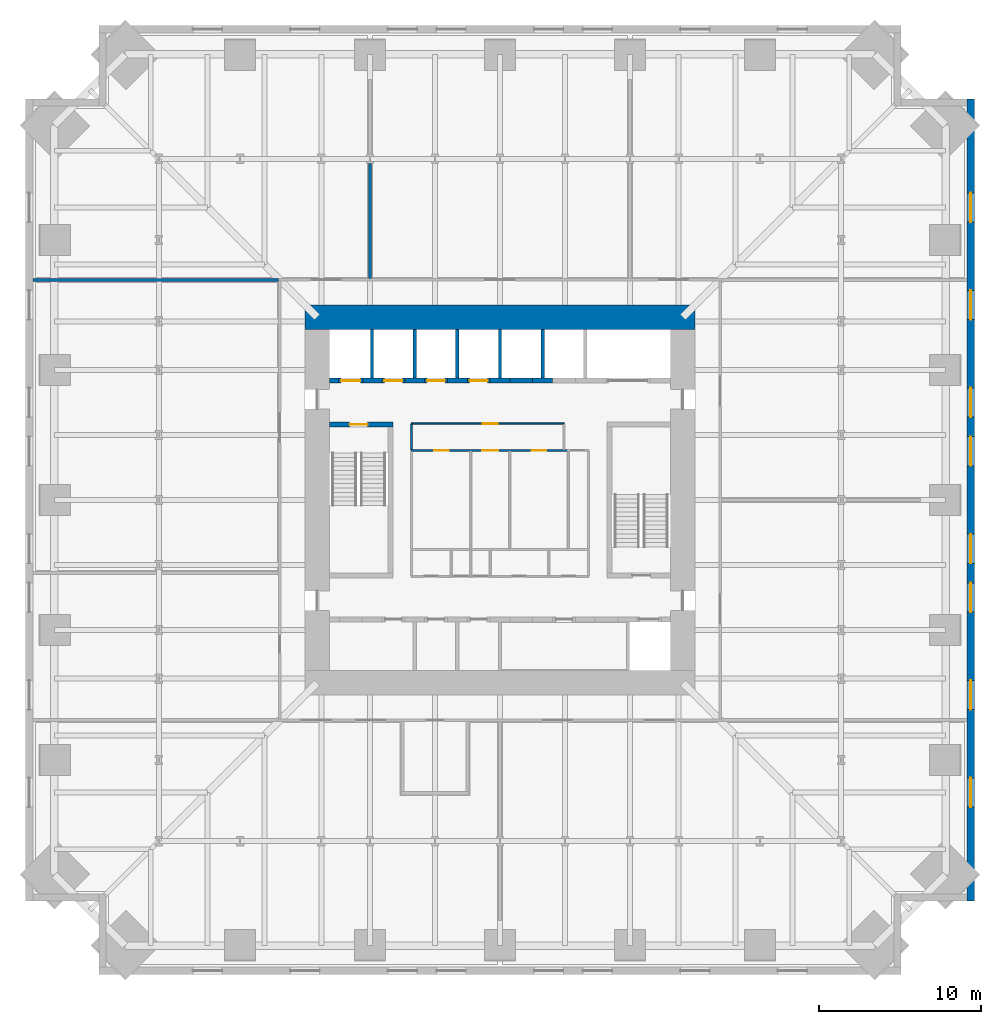
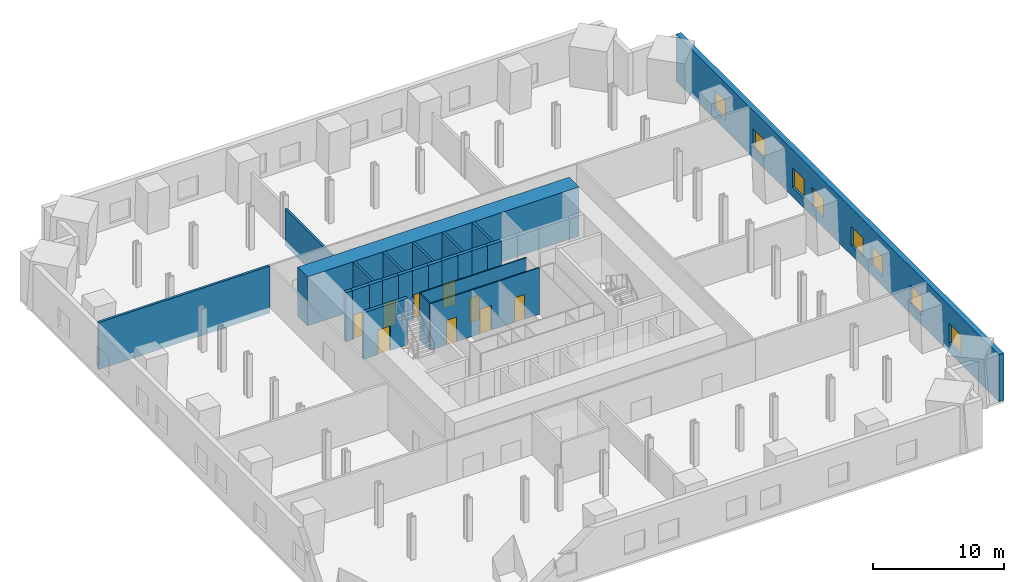
# One storey, part 6 of 8: 24 walls, 9 doors, 8 windows, 17 openings.
"""IFC4 building model written with IfcOpenShell, lengths in metres."""

import ifcopenshell
import ifcopenshell.guid

model = None  # the IFC model being written
_history = None  # IfcOwnerHistory: only IFC2X3 demands one
_inside = {}  # id of a spatial element -> (the spatial element, [elements in it])
_under = {}  # id of a project, library or spatial element -> (it, [spatial elements below it])
_declared = {}  # id of a project -> (the project, [libraries it declares])
_typed = {}  # id of a type object -> (the type object, [elements of that type])
_made_of = {}  # id of a material, layer set ... -> (it, [elements and type objects made of it])


def new_model(schema):
    """Start an empty IFC model of exactly this schema.

    Asked for "IFC4X3", IfcOpenShell would pick the latest addendum, in which some entities
    have other attributes; the version numbers below select the first issue.
    IFC2X3 requires an IfcOwnerHistory on every rooted entity: one is made here for all.
    """
    global model, _history
    if schema == "IFC4X3":
        model = ifcopenshell.file(schema_version=(4, 3, 0, 0))
    else:
        model = ifcopenshell.file(schema=schema)
    _inside.clear()
    _under.clear()
    _declared.clear()
    _typed.clear()
    _made_of.clear()
    _history = None
    if model.schema == "IFC2X3":
        org = make("IfcOrganization", Name="unknown")
        user = make(
            "IfcPersonAndOrganization",
            ThePerson=make("IfcPerson", FamilyName="unknown"),
            TheOrganization=org,
        )
        app = make(
            "IfcApplication",
            ApplicationDeveloper=org,
            Version="unknown",
            ApplicationFullName="unknown",
            ApplicationIdentifier="unknown",
        )
        _history = make(
            "IfcOwnerHistory",
            OwningUser=user,
            OwningApplication=app,
            ChangeAction="ADDED",
            CreationDate=0,
        )
    return model


def make(cls, **values):
    """One entity of the class cls with the attributes given. An attribute that is None is left unset."""
    return model.create_entity(
        cls, **{name: value for name, value in values.items() if value is not None}
    )


def rooted(cls, **values):
    """An entity with a GlobalId (a new one), such as an element, a storey or a relation."""
    return make(cls, GlobalId=ifcopenshell.guid.new(), OwnerHistory=_history, **values)


def si_unit(unit_type, name, prefix=None):
    """IfcSIUnit, for example si_unit("LENGTHUNIT", "METRE", prefix="MILLI")."""
    return make("IfcSIUnit", UnitType=unit_type, Prefix=prefix, Name=name)


def assignment(units):
    """IfcUnitAssignment: the units of a project."""
    return None if units is None else make("IfcUnitAssignment", Units=units)


def point(xyz):
    """IfcCartesianPoint."""
    return None if xyz is None else make("IfcCartesianPoint", Coordinates=xyz)


def direction(xyz):
    """IfcDirection."""
    return None if xyz is None else make("IfcDirection", DirectionRatios=xyz)


def frame(location, z_axis=None, x_axis=None):
    """IfcAxis2Placement3D, a coordinate frame: its origin and axes. An axis left out is left unset."""
    return make(
        "IfcAxis2Placement3D",
        Location=point(location),
        Axis=direction(z_axis),
        RefDirection=direction(x_axis),
    )


def frame_2d(location, x_axis=None):
    """IfcAxis2Placement2D, a coordinate frame in the plane: its origin and x axis."""
    return make(
        "IfcAxis2Placement2D", Location=point(location), RefDirection=direction(x_axis)
    )


def origin():
    """The frame at (0, 0, 0) with its axes left unset."""
    return frame((0.0, 0.0, 0.0))


def place(relative_to, where):
    """IfcLocalPlacement: puts the frame where relative to a parent placement (None: the world)."""
    return make(
        "IfcLocalPlacement", PlacementRelTo=relative_to, RelativePlacement=where
    )


def context(
    kind, dimensions, precision=None, world=None, true_north=None, identifier=None
):
    """IfcGeometricRepresentationContext, for example the 3D "Model" context."""
    return make(
        "IfcGeometricRepresentationContext",
        ContextIdentifier=identifier,
        ContextType=kind,
        CoordinateSpaceDimension=dimensions,
        Precision=precision,
        WorldCoordinateSystem=world,
        TrueNorth=true_north,
    )


def subcontext(parent, identifier, kind, view, scale=None):
    """IfcGeometricRepresentationSubContext, for example "Body" below "Model"."""
    return make(
        "IfcGeometricRepresentationSubContext",
        ContextIdentifier=identifier,
        ContextType=kind,
        ParentContext=parent,
        TargetScale=scale,
        TargetView=view,
    )


def project(units=None, contexts=None):
    """IfcProject with its units and contexts."""
    return rooted(
        "IfcProject",
        Name="project",
        RepresentationContexts=contexts,
        UnitsInContext=assignment(units),
    )


def spatial(cls, under=None, at=None, **own):
    """A site, building, storey or space (cls), placed at a placement, below another one or the project."""
    s = rooted(cls, ObjectPlacement=at, **own)
    if under is not None:
        _under.setdefault(under.id(), (under, []))[1].append(s)
    return s


def profile(cls, at=None, kind="AREA", **sizes):
    """A parametric profile (cls). Its sizes go by their IFC names, for example OverallWidth=200.0."""
    return make(cls, ProfileType=kind, Position=at, **sizes)


def rectangle(**sizes):
    """IfcRectangleProfileDef."""
    return profile("IfcRectangleProfileDef", **sizes)


def extrude(swept, where, along, depth):
    """IfcExtrudedAreaSolid: the profile swept, set in the frame where, extruded along a direction by depth."""
    return make(
        "IfcExtrudedAreaSolid",
        SweptArea=swept,
        Position=where,
        ExtrudedDirection=direction(along),
        Depth=depth,
    )


def shape(context_of_items, identifier, shape_type, items):
    """IfcShapeRepresentation: the items that make up one representation, for example the "Body"."""
    return make(
        "IfcShapeRepresentation",
        ContextOfItems=context_of_items,
        RepresentationIdentifier=identifier,
        RepresentationType=shape_type,
        Items=items,
    )


def material(Name=None, Category=None):
    """IfcMaterial."""
    return make("IfcMaterial", Name=Name, Category=Category)


def layer(
    of_material, thickness, ventilated=None, Name=None, Category=None, Priority=None
):
    """IfcMaterialLayer: one layer of a wall or slab, of a material (None: an air gap)."""
    return make(
        "IfcMaterialLayer",
        Material=of_material,
        LayerThickness=thickness,
        IsVentilated=ventilated,
        Name=Name,
        Category=Category,
        Priority=Priority,
    )


def layer_set(layers, Name=None):
    """IfcMaterialLayerSet."""
    return make("IfcMaterialLayerSet", MaterialLayers=layers, LayerSetName=Name)


def made_of(thing, what):
    """Note that an element or type object is made of a material, layer set ...; save() writes the relation."""
    if what is not None:
        _made_of.setdefault(what.id(), (what, []))[1].append(thing)
    return thing


def type_object(cls, material=None, **own):
    """A type object (cls), such as IfcWallType, which elements share."""
    return made_of(rooted(cls, **own), material)


def element(
    cls,
    number,
    at=None,
    inside=None,
    cuts=None,
    type_object=None,
    material=None,
    context=None,
    identifier="Body",
    shape_type=None,
    held_by="IfcProductDefinitionShape",
    body=None,
    shapes=None,
    **own,
):
    """One element of the class cls, such as IfcWall. Its Tag is "e" and its number.

    at: its placement. inside: the storey or other place that contains it. cuts: it is an
    opening in that element (IfcRelVoidsElement). A single representation is given by context,
    identifier, shape_type and body (its items); several are given by shapes. held_by: the class
    of the entity that holds the representations. save() writes the other relations.
    """
    e = rooted(cls, Tag="e%d" % number, ObjectPlacement=at, **own)
    if body is not None:
        shapes = [shape(context, identifier, shape_type, body)]
    if shapes is not None:
        e.Representation = make(held_by, Representations=shapes)
    if inside is not None:
        _inside.setdefault(inside.id(), (inside, []))[1].append(e)
    if cuts is not None:
        rooted(
            "IfcRelVoidsElement", RelatingBuildingElement=cuts, RelatedOpeningElement=e
        )
    if type_object is not None:
        _typed.setdefault(type_object.id(), (type_object, []))[1].append(e)
    return made_of(e, material)


def fill(opening, filler):
    """IfcRelFillsElement: the door or window that sits in an opening."""
    return rooted(
        "IfcRelFillsElement",
        RelatingOpeningElement=opening,
        RelatedBuildingElement=filler,
    )


def aggregate(whole, parts):
    """IfcRelAggregates: a whole, such as a stair, and the parts it consists of."""
    return rooted("IfcRelAggregates", RelatingObject=whole, RelatedObjects=parts)


def save(model, path):
    """Write the relations noted so far, then the file.

    IfcRelAggregates (storeys below a building ...), IfcRelContainedInSpatialStructure (elements
    in a storey), IfcRelDefinesByType, IfcRelAssociatesMaterial and IfcRelDeclares: one each for
    every whole, place, type object, material and project.
    """
    for whole, parts in _under.values():
        aggregate(whole, parts)
    for where, things in _inside.values():
        rooted(
            "IfcRelContainedInSpatialStructure",
            RelatedElements=things,
            RelatingStructure=where,
        )
    for kind, things in _typed.values():
        rooted("IfcRelDefinesByType", RelatedObjects=things, RelatingType=kind)
    for what, things in _made_of.values():
        rooted("IfcRelAssociatesMaterial", RelatedObjects=things, RelatingMaterial=what)
    for by, libraries in _declared.values():
        rooted("IfcRelDeclares", RelatingContext=by, RelatedDefinitions=libraries)
    model.write(path)


model = new_model("IFC4")

# Units and contexts
model_context = context("Model", 3, precision=1e-05, world=origin(), true_north=direction((0.0, 1.0)))
body_context = subcontext(model_context, "Body", "Model", "MODEL_VIEW")
ifc_project = project(units=[si_unit("LENGTHUNIT", "METRE"), si_unit("AREAUNIT", "SQUARE_METRE"), si_unit("VOLUMEUNIT", "CUBIC_METRE"), si_unit("PLANEANGLEUNIT", "RADIAN"), si_unit("MASSUNIT", "GRAM", prefix="KILO")], contexts=[model_context])

# Site, building, storey
site_placement = place(None, origin())
site = spatial("IfcSite", under=ifc_project, at=site_placement, CompositionType="ELEMENT")
building_placement = place(site_placement, origin())
building = spatial("IfcBuilding", under=site, at=building_placement, Name="Peilmerk Tower", CompositionType="ELEMENT")
storey_placement = place(building_placement, frame((0.0, 0.0, 86.0)))
storey = spatial("IfcBuildingStorey", under=building, at=storey_placement, Name="L16", CompositionType="ELEMENT", Elevation=86.0)

# Wall, openings, windows
ifc_material_1 = material(Name="Precast concrete C45/55, board-marked finish", Category="concrete")
ifc_layer_1 = layer(ifc_material_1, 0.449951171875)
ifc_layer_set_1 = layer_set([ifc_layer_1], Name="Precast concrete C45/55, board-marked finish")
wall_type_1 = type_object("IfcWallType", Name="EW1 450 precast concrete facade wall, board-marked", PredefinedType="SOLIDWALL", material=ifc_layer_set_1)
wall_1_placement = place(storey_placement, frame((28.97509765625, -24.699951171875, 0.0), z_axis=(0.0, 0.0, 1.0), x_axis=(0.0, 1.0, 0.0)))
wall_1 = element("IfcWall", 1, at=wall_1_placement, inside=storey, type_object=wall_type_1, Name="Facade wall E L16", PredefinedType="SOLIDWALL", context=body_context, shape_type="SweptSolid", body=[
    extrude(rectangle(XDim=49.39990234375, YDim=0.449951171875, at=frame_2d((24.699951171875, 0.0))), origin(), (0.0, 0.0, 1.0), 4.39990234375),
])
opening_1_placement = place(wall_1_placement, frame((5.800048828125, 0.0, 0.89990234375)))
opening_1 = element("IfcOpeningElement", 2, at=opening_1_placement, cuts=wall_1, Name="Opening W3", PredefinedType="OPENING", context=body_context, shape_type="SweptSolid", body=[
    extrude(rectangle(XDim=1.800048828125, YDim=1.800048828125, at=frame_2d((0.89990234375, 0.89990234375))), frame((0.0, 0.23486328125, 0.0), z_axis=(0.0, -1.0, 0.0), x_axis=(1.0, 0.0, 0.0)), (0.0, 0.0, 1.0), 0.469970703125),
])
opening_2_placement = place(wall_1_placement, frame((11.800048828125, 0.0, 0.89990234375)))
opening_2 = element("IfcOpeningElement", 3, at=opening_2_placement, cuts=wall_1, Name="Opening W3", PredefinedType="OPENING", context=body_context, shape_type="SweptSolid", body=[
    extrude(rectangle(XDim=1.800048828125, YDim=1.800048828125, at=frame_2d((0.89990234375, 0.89990234375))), frame((0.0, 0.23486328125, 0.0), z_axis=(0.0, -1.0, 0.0), x_axis=(1.0, 0.0, 0.0)), (0.0, 0.0, 1.0), 0.469970703125),
])
opening_3_placement = place(wall_1_placement, frame((17.800048828125, 0.0, 0.89990234375)))
opening_3 = element("IfcOpeningElement", 4, at=opening_3_placement, cuts=wall_1, Name="Opening W3", PredefinedType="OPENING", context=body_context, shape_type="SweptSolid", body=[
    extrude(rectangle(XDim=1.800048828125, YDim=1.800048828125, at=frame_2d((0.89990234375, 0.89990234375))), frame((0.0, 0.23486328125, 0.0), z_axis=(0.0, -1.0, 0.0), x_axis=(1.0, 0.0, 0.0)), (0.0, 0.0, 1.0), 0.469970703125),
])
opening_4_placement = place(wall_1_placement, frame((20.800048828125, 0.0, 0.89990234375)))
opening_4 = element("IfcOpeningElement", 5, at=opening_4_placement, cuts=wall_1, Name="Opening W3", PredefinedType="OPENING", context=body_context, shape_type="SweptSolid", body=[
    extrude(rectangle(XDim=1.800048828125, YDim=1.800048828125, at=frame_2d((0.89990234375, 0.89990234375))), frame((0.0, 0.23486328125, 0.0), z_axis=(0.0, -1.0, 0.0), x_axis=(1.0, 0.0, 0.0)), (0.0, 0.0, 1.0), 0.469970703125),
])
opening_5_placement = place(wall_1_placement, frame((26.800048828125, 0.0, 0.89990234375)))
opening_5 = element("IfcOpeningElement", 6, at=opening_5_placement, cuts=wall_1, Name="Opening W3", PredefinedType="OPENING", context=body_context, shape_type="SweptSolid", body=[
    extrude(rectangle(XDim=1.800048828125, YDim=1.800048828125, at=frame_2d((0.89990234375, 0.89990234375))), frame((0.0, 0.23486328125, 0.0), z_axis=(0.0, -1.0, 0.0), x_axis=(1.0, 0.0, 0.0)), (0.0, 0.0, 1.0), 0.469970703125),
])
opening_6_placement = place(wall_1_placement, frame((29.800048828125, 0.0, 0.89990234375)))
opening_6 = element("IfcOpeningElement", 7, at=opening_6_placement, cuts=wall_1, Name="Opening W3", PredefinedType="OPENING", context=body_context, shape_type="SweptSolid", body=[
    extrude(rectangle(XDim=1.800048828125, YDim=1.800048828125, at=frame_2d((0.89990234375, 0.89990234375))), frame((0.0, 0.23486328125, 0.0), z_axis=(0.0, -1.0, 0.0), x_axis=(1.0, 0.0, 0.0)), (0.0, 0.0, 1.0), 0.469970703125),
])
opening_7_placement = place(wall_1_placement, frame((35.800048828125, 0.0, 0.89990234375)))
opening_7 = element("IfcOpeningElement", 8, at=opening_7_placement, cuts=wall_1, Name="Opening W3", PredefinedType="OPENING", context=body_context, shape_type="SweptSolid", body=[
    extrude(rectangle(XDim=1.800048828125, YDim=1.800048828125, at=frame_2d((0.89990234375, 0.89990234375))), frame((0.0, 0.23486328125, 0.0), z_axis=(0.0, -1.0, 0.0), x_axis=(1.0, 0.0, 0.0)), (0.0, 0.0, 1.0), 0.469970703125),
])
opening_8_placement = place(wall_1_placement, frame((41.800048828125, 0.0, 0.89990234375)))
opening_8 = element("IfcOpeningElement", 9, at=opening_8_placement, cuts=wall_1, Name="Opening W3", PredefinedType="OPENING", context=body_context, shape_type="SweptSolid", body=[
    extrude(rectangle(XDim=1.800048828125, YDim=1.800048828125, at=frame_2d((0.89990234375, 0.89990234375))), frame((0.0, 0.23486328125, 0.0), z_axis=(0.0, -1.0, 0.0), x_axis=(1.0, 0.0, 0.0)), (0.0, 0.0, 1.0), 0.469970703125),
])
ifc_material_2 = material(Name="Aluminium frame, clear double glazing", Category="aluminium")
window_type = type_object("IfcWindowType", Name="W3 1800x1800 telecom floor window", PartitioningType="SINGLE_PANEL", PredefinedType="WINDOW", material=ifc_material_2)
window_1_placement = place(opening_1_placement, origin())
window_1 = element("IfcWindow", 10, at=window_1_placement, inside=storey, type_object=window_type, Name="Window W3 L16", OverallHeight=1.800048828125, OverallWidth=1.800048828125, PartitioningType="SINGLE_PANEL", PredefinedType="WINDOW", context=body_context, shape_type="SweptSolid", body=[
    extrude(rectangle(XDim=1.800048828125, YDim=1.800048828125, at=frame_2d((0.89990234375, 0.89990234375))), frame((0.0, 0.030029296875, 0.0), z_axis=(0.0, -1.0, 0.0), x_axis=(1.0, 0.0, 0.0)), (0.0, 0.0, 1.0), 0.06005859375),
])
fill(opening_1, window_1)
window_2_placement = place(opening_2_placement, origin())
window_2 = element("IfcWindow", 11, at=window_2_placement, inside=storey, type_object=window_type, Name="Window W3 L16", OverallHeight=1.800048828125, OverallWidth=1.800048828125, PartitioningType="SINGLE_PANEL", PredefinedType="WINDOW", context=body_context, shape_type="SweptSolid", body=[
    extrude(rectangle(XDim=1.800048828125, YDim=1.800048828125, at=frame_2d((0.89990234375, 0.89990234375))), frame((0.0, 0.030029296875, 0.0), z_axis=(0.0, -1.0, 0.0), x_axis=(1.0, 0.0, 0.0)), (0.0, 0.0, 1.0), 0.06005859375),
])
fill(opening_2, window_2)
window_3_placement = place(opening_3_placement, origin())
window_3 = element("IfcWindow", 12, at=window_3_placement, inside=storey, type_object=window_type, Name="Window W3 L16", OverallHeight=1.800048828125, OverallWidth=1.800048828125, PartitioningType="SINGLE_PANEL", PredefinedType="WINDOW", context=body_context, shape_type="SweptSolid", body=[
    extrude(rectangle(XDim=1.800048828125, YDim=1.800048828125, at=frame_2d((0.89990234375, 0.89990234375))), frame((0.0, 0.030029296875, 0.0), z_axis=(0.0, -1.0, 0.0), x_axis=(1.0, 0.0, 0.0)), (0.0, 0.0, 1.0), 0.06005859375),
])
fill(opening_3, window_3)
window_4_placement = place(opening_4_placement, origin())
window_4 = element("IfcWindow", 13, at=window_4_placement, inside=storey, type_object=window_type, Name="Window W3 L16", OverallHeight=1.800048828125, OverallWidth=1.800048828125, PartitioningType="SINGLE_PANEL", PredefinedType="WINDOW", context=body_context, shape_type="SweptSolid", body=[
    extrude(rectangle(XDim=1.800048828125, YDim=1.800048828125, at=frame_2d((0.89990234375, 0.89990234375))), frame((0.0, 0.030029296875, 0.0), z_axis=(0.0, -1.0, 0.0), x_axis=(1.0, 0.0, 0.0)), (0.0, 0.0, 1.0), 0.06005859375),
])
fill(opening_4, window_4)
window_5_placement = place(opening_5_placement, origin())
window_5 = element("IfcWindow", 14, at=window_5_placement, inside=storey, type_object=window_type, Name="Window W3 L16", OverallHeight=1.800048828125, OverallWidth=1.800048828125, PartitioningType="SINGLE_PANEL", PredefinedType="WINDOW", context=body_context, shape_type="SweptSolid", body=[
    extrude(rectangle(XDim=1.800048828125, YDim=1.800048828125, at=frame_2d((0.89990234375, 0.89990234375))), frame((0.0, 0.030029296875, 0.0), z_axis=(0.0, -1.0, 0.0), x_axis=(1.0, 0.0, 0.0)), (0.0, 0.0, 1.0), 0.06005859375),
])
fill(opening_5, window_5)
window_6_placement = place(opening_6_placement, origin())
window_6 = element("IfcWindow", 15, at=window_6_placement, inside=storey, type_object=window_type, Name="Window W3 L16", OverallHeight=1.800048828125, OverallWidth=1.800048828125, PartitioningType="SINGLE_PANEL", PredefinedType="WINDOW", context=body_context, shape_type="SweptSolid", body=[
    extrude(rectangle(XDim=1.800048828125, YDim=1.800048828125, at=frame_2d((0.89990234375, 0.89990234375))), frame((0.0, 0.030029296875, 0.0), z_axis=(0.0, -1.0, 0.0), x_axis=(1.0, 0.0, 0.0)), (0.0, 0.0, 1.0), 0.06005859375),
])
fill(opening_6, window_6)
window_7_placement = place(opening_7_placement, origin())
window_7 = element("IfcWindow", 16, at=window_7_placement, inside=storey, type_object=window_type, Name="Window W3 L16", OverallHeight=1.800048828125, OverallWidth=1.800048828125, PartitioningType="SINGLE_PANEL", PredefinedType="WINDOW", context=body_context, shape_type="SweptSolid", body=[
    extrude(rectangle(XDim=1.800048828125, YDim=1.800048828125, at=frame_2d((0.89990234375, 0.89990234375))), frame((0.0, 0.030029296875, 0.0), z_axis=(0.0, -1.0, 0.0), x_axis=(1.0, 0.0, 0.0)), (0.0, 0.0, 1.0), 0.06005859375),
])
fill(opening_7, window_7)
window_8_placement = place(opening_8_placement, origin())
window_8 = element("IfcWindow", 17, at=window_8_placement, inside=storey, type_object=window_type, Name="Window W3 L16", OverallHeight=1.800048828125, OverallWidth=1.800048828125, PartitioningType="SINGLE_PANEL", PredefinedType="WINDOW", context=body_context, shape_type="SweptSolid", body=[
    extrude(rectangle(XDim=1.800048828125, YDim=1.800048828125, at=frame_2d((0.89990234375, 0.89990234375))), frame((0.0, 0.030029296875, 0.0), z_axis=(0.0, -1.0, 0.0), x_axis=(1.0, 0.0, 0.0)), (0.0, 0.0, 1.0), 0.06005859375),
])
fill(opening_8, window_8)

# Walls
ifc_material_3 = material(Name="Calcium silicate block", Category="masonry")
ifc_layer_2 = layer(ifc_material_3, 0.199951171875)
ifc_layer_set_2 = layer_set([ifc_layer_2], Name="Calcium silicate block")
wall_type_2 = type_object("IfcWallType", Name="IW2 200 room separating wall, EI 120", PredefinedType="PARTITIONING", material=ifc_layer_set_2)
wall_2_placement = place(storey_placement, frame((-28.75, 13.550048828125, 0.0), z_axis=(0.0, 0.0, 1.0), x_axis=(1.0, 0.0, 0.0)))
element("IfcWall", 18, at=wall_2_placement, inside=storey, type_object=wall_type_2, Name="Room separating wall NW L16", PredefinedType="PARTITIONING", context=body_context, shape_type="SweptSolid", body=[
    extrude(rectangle(XDim=15.125, YDim=0.199951171875, at=frame_2d((7.5625, 0.0))), origin(), (0.0, 0.0, 1.0), 4.39990234375),
])
wall_3_placement = place(storey_placement, frame((-8.0, 13.625, 0.0), z_axis=(0.0, 0.0, 1.0), x_axis=(0.0, 1.0, 0.0)))
element("IfcWall", 19, at=wall_3_placement, inside=storey, type_object=wall_type_2, Name="Room separating wall N1 L16", PredefinedType="PARTITIONING", context=body_context, shape_type="SweptSolid", body=[
    extrude(rectangle(XDim=7.090576171875, YDim=0.199951171875, at=frame_2d((3.54541015625, 0.0))), origin(), (0.0, 0.0, 1.0), 3.39208984375),
])

# Wall, opening, door
ifc_material_4 = material(Name="Concrete C35/45", Category="concrete")
ifc_layer_3 = layer(ifc_material_4, 0.300048828125)
ifc_layer_set_3 = layer_set([ifc_layer_3], Name="Concrete C35/45")
wall_type_3 = type_object("IfcWallType", Name="IW3 300 concrete stair enclosure wall, EI 120", PredefinedType="SOLIDWALL", material=ifc_layer_set_3)
wall_4_placement = place(storey_placement, frame((-10.5, 4.64990234375, 0.0), z_axis=(0.0, 0.0, 1.0), x_axis=(1.0, 0.0, 0.0)))
wall_4 = element("IfcWall", 20, at=wall_4_placement, inside=storey, type_object=wall_type_3, Name="Stair 1 enclosure L16", PredefinedType="SOLIDWALL", context=body_context, shape_type="SweptSolid", body=[
    extrude(rectangle(XDim=3.89990234375, YDim=0.300048828125, at=frame_2d((1.949951171875, 0.0))), origin(), (0.0, 0.0, 1.0), 4.35009765625),
])
opening_9_placement = place(wall_4_placement, frame((1.25, 0.0, 0.0)))
opening_9 = element("IfcOpeningElement", 21, at=opening_9_placement, cuts=wall_4, Name="Opening D4", PredefinedType="OPENING", context=body_context, shape_type="SweptSolid", body=[
    extrude(rectangle(XDim=1.10009765625, YDim=2.300048828125, at=frame_2d((0.550048828125, 1.14990234375))), frame((0.0, 0.159912109375, 0.0), z_axis=(0.0, -1.0, 0.0), x_axis=(1.0, 0.0, 0.0)), (0.0, 0.0, 1.0), 0.320068359375),
])
ifc_material_5 = material(Name="Steel door in steel frame", Category="steel")
door_type_1 = type_object("IfcDoorType", Name="D4 1100x2300 stair door, EI2 60", OperationType="SINGLE_SWING_RIGHT", PredefinedType="DOOR", material=ifc_material_5)
door_1_placement = place(opening_9_placement, frame((1.10009765625, 0.0, 0.0), z_axis=(0.0, 0.0, 1.0), x_axis=(-1.0, 0.0, 0.0)))
door_1 = element("IfcDoor", 22, at=door_1_placement, inside=storey, type_object=door_type_1, Name="Stair 1 door L16", OperationType="SINGLE_SWING_RIGHT", OverallHeight=2.300048828125, OverallWidth=1.10009765625, PredefinedType="DOOR", context=body_context, shape_type="SweptSolid", body=[
    extrude(rectangle(XDim=1.10009765625, YDim=2.300048828125, at=frame_2d((0.550048828125, 1.14990234375))), frame((0.0, 0.02490234375, 0.0), z_axis=(0.0, -1.0, 0.0), x_axis=(1.0, 0.0, 0.0)), (0.0, 0.0, 1.0), 0.050048828125),
])
fill(opening_9, door_1)

# Wall, openings, doors
ifc_material_6 = material(Name="Plasterboard on steel studs", Category="steel")
ifc_layer_4 = layer(ifc_material_6, 0.10009765625)
ifc_layer_set_4 = layer_set([ifc_layer_4], Name="Plasterboard on steel studs")
wall_type_4 = type_object("IfcWallType", Name="IW4 100 WC partition", PredefinedType="PARTITIONING", material=ifc_layer_set_4)
wall_5_placement = place(storey_placement, frame((-5.449951171875, 3.050048828125, 0.0), z_axis=(0.0, 0.0, 1.0), x_axis=(1.0, 0.0, 0.0)))
wall_5 = element("IfcWall", 23, at=wall_5_placement, inside=storey, type_object=wall_type_4, Name="WC wall L16", PredefinedType="PARTITIONING", context=body_context, shape_type="SweptSolid", body=[
    extrude(rectangle(XDim=9.599853515625, YDim=0.10009765625, at=frame_2d((4.7998046875, 0.0))), origin(), (0.0, 0.0, 1.0), 4.35009765625),
])
opening_10_placement = place(wall_5_placement, frame((1.39990234375, 0.0, 0.0)))
opening_10 = element("IfcOpeningElement", 24, at=opening_10_placement, cuts=wall_5, Name="Opening D5", PredefinedType="OPENING", context=body_context, shape_type="SweptSolid", body=[
    extrude(rectangle(XDim=0.89990234375, YDim=2.300048828125, at=frame_2d((0.449951171875, 1.14990234375))), frame((0.0, 0.06005859375, 0.0), z_axis=(0.0, -1.0, 0.0), x_axis=(1.0, 0.0, 0.0)), (0.0, 0.0, 1.0), 0.1201171875),
])
opening_11_placement = place(wall_5_placement, frame((4.35009765625, 0.0, 0.0)))
opening_11 = element("IfcOpeningElement", 25, at=opening_11_placement, cuts=wall_5, Name="Opening D6", PredefinedType="OPENING", context=body_context, shape_type="SweptSolid", body=[
    extrude(rectangle(XDim=1.0, YDim=2.300048828125, at=frame_2d((0.5, 1.14990234375))), frame((0.0, 0.06005859375, 0.0), z_axis=(0.0, -1.0, 0.0), x_axis=(1.0, 0.0, 0.0)), (0.0, 0.0, 1.0), 0.1201171875),
])
opening_12_placement = place(wall_5_placement, frame((7.39990234375, 0.0, 0.0)))
opening_12 = element("IfcOpeningElement", 26, at=opening_12_placement, cuts=wall_5, Name="Opening D5", PredefinedType="OPENING", context=body_context, shape_type="SweptSolid", body=[
    extrude(rectangle(XDim=0.89990234375, YDim=2.300048828125, at=frame_2d((0.449951171875, 1.14990234375))), frame((0.0, 0.06005859375, 0.0), z_axis=(0.0, -1.0, 0.0), x_axis=(1.0, 0.0, 0.0)), (0.0, 0.0, 1.0), 0.1201171875),
])
ifc_material_7 = material(Name="Timber door in steel frame", Category="steel")
door_type_2 = type_object("IfcDoorType", Name="D5 900x2300 WC door", OperationType="SINGLE_SWING_LEFT", PredefinedType="DOOR", material=ifc_material_7)
door_2_placement = place(opening_10_placement, frame((0.89990234375, 0.0, 0.0), z_axis=(0.0, 0.0, 1.0), x_axis=(-1.0, 0.0, 0.0)))
door_2 = element("IfcDoor", 27, at=door_2_placement, inside=storey, type_object=door_type_2, Name="Female toilets door L16", OperationType="SINGLE_SWING_LEFT", OverallHeight=2.300048828125, OverallWidth=0.89990234375, PredefinedType="DOOR", context=body_context, shape_type="SweptSolid", body=[
    extrude(rectangle(XDim=0.89990234375, YDim=2.300048828125, at=frame_2d((0.449951171875, 1.14990234375))), frame((0.0, 0.02490234375, 0.0), z_axis=(0.0, -1.0, 0.0), x_axis=(1.0, 0.0, 0.0)), (0.0, 0.0, 1.0), 0.050048828125),
])
fill(opening_10, door_2)
door_3_placement = place(opening_12_placement, frame((0.89990234375, 0.0, 0.0), z_axis=(0.0, 0.0, 1.0), x_axis=(-1.0, 0.0, 0.0)))
door_3 = element("IfcDoor", 28, at=door_3_placement, inside=storey, type_object=door_type_2, Name="Male toilets door L16", OperationType="SINGLE_SWING_LEFT", OverallHeight=2.300048828125, OverallWidth=0.89990234375, PredefinedType="DOOR", context=body_context, shape_type="SweptSolid", body=[
    extrude(rectangle(XDim=0.89990234375, YDim=2.300048828125, at=frame_2d((0.449951171875, 1.14990234375))), frame((0.0, 0.02490234375, 0.0), z_axis=(0.0, -1.0, 0.0), x_axis=(1.0, 0.0, 0.0)), (0.0, 0.0, 1.0), 0.050048828125),
])
fill(opening_12, door_3)
door_type_3 = type_object("IfcDoorType", Name="D6 1000x2300 accessible WC door", OperationType="SLIDING_TO_LEFT", PredefinedType="DOOR", material=ifc_material_7)
door_4_placement = place(opening_11_placement, frame((1.0, 0.0, 0.0), z_axis=(0.0, 0.0, 1.0), x_axis=(-1.0, 0.0, 0.0)))
door_4 = element("IfcDoor", 29, at=door_4_placement, inside=storey, type_object=door_type_3, Name="Accessible WC door L16", OperationType="SLIDING_TO_LEFT", OverallHeight=2.300048828125, OverallWidth=1.0, PredefinedType="DOOR", context=body_context, shape_type="SweptSolid", body=[
    extrude(rectangle(XDim=1.0, YDim=2.300048828125, at=frame_2d((0.5, 1.14990234375))), frame((0.0, 0.02490234375, 0.0), z_axis=(0.0, -1.0, 0.0), x_axis=(1.0, 0.0, 0.0)), (0.0, 0.0, 1.0), 0.050048828125),
])
fill(opening_11, door_4)

# Wall, opening, door
ifc_material_8 = material(Name="Fire-resisting plasterboard on steel studs", Category="steel")
ifc_layer_5 = layer(ifc_material_8, 0.10009765625)
ifc_layer_set_5 = layer_set([ifc_layer_5], Name="Fire-resisting plasterboard on steel studs")
wall_type_5 = type_object("IfcWallType", Name="IW9 100 WC lobby wall, EI 30", PredefinedType="PARTITIONING", material=ifc_layer_set_5)
wall_6_placement = place(storey_placement, frame((-5.449951171875, 4.699951171875, 0.0), z_axis=(0.0, 0.0, 1.0), x_axis=(1.0, 0.0, 0.0)))
wall_6 = element("IfcWall", 30, at=wall_6_placement, inside=storey, type_object=wall_type_5, Name="WC lobby wall L16", PredefinedType="PARTITIONING", context=body_context, shape_type="SweptSolid", body=[
    extrude(rectangle(XDim=9.39990234375, YDim=0.10009765625, at=frame_2d((4.699951171875, 0.0))), origin(), (0.0, 0.0, 1.0), 4.35009765625),
])
opening_13_placement = place(wall_6_placement, frame((4.39990234375, 0.0, 0.0)))
opening_13 = element("IfcOpeningElement", 31, at=opening_13_placement, cuts=wall_6, Name="Opening D11", PredefinedType="OPENING", context=body_context, shape_type="SweptSolid", body=[
    extrude(rectangle(XDim=0.89990234375, YDim=2.300048828125, at=frame_2d((0.449951171875, 1.14990234375))), frame((0.0, 0.06005859375, 0.0), z_axis=(0.0, -1.0, 0.0), x_axis=(1.0, 0.0, 0.0)), (0.0, 0.0, 1.0), 0.1201171875),
])
door_type_4 = type_object("IfcDoorType", Name="D11 900x2300 WC lobby door, EI2 30", OperationType="SINGLE_SWING_LEFT", PredefinedType="DOOR", material=ifc_material_7)
door_5_placement = place(opening_13_placement, frame((0.89990234375, 0.0, 0.0), z_axis=(0.0, 0.0, 1.0), x_axis=(-1.0, 0.0, 0.0)))
door_5 = element("IfcDoor", 32, at=door_5_placement, inside=storey, type_object=door_type_4, Name="WC lobby door L16", OperationType="SINGLE_SWING_LEFT", OverallHeight=2.300048828125, OverallWidth=0.89990234375, PredefinedType="DOOR", context=body_context, shape_type="SweptSolid", body=[
    extrude(rectangle(XDim=0.89990234375, YDim=2.300048828125, at=frame_2d((0.449951171875, 1.14990234375))), frame((0.0, 0.02490234375, 0.0), z_axis=(0.0, -1.0, 0.0), x_axis=(1.0, 0.0, 0.0)), (0.0, 0.0, 1.0), 0.050048828125),
])
fill(opening_13, door_5)

# Walls
wall_7_placement = place(storey_placement, frame((-5.449951171875, 3.10009765625, 0.0), z_axis=(0.0, 0.0, 1.0), x_axis=(0.0, 1.0, 0.0)))
element("IfcWall", 33, at=wall_7_placement, inside=storey, type_object=wall_type_5, Name="WC lobby wall L16", PredefinedType="PARTITIONING", context=body_context, shape_type="SweptSolid", body=[
    extrude(rectangle(XDim=1.5498046875, YDim=0.10009765625, at=frame_2d((0.77490234375, 0.0))), origin(), (0.0, 0.0, 1.0), 4.35009765625),
])
ifc_layer_6 = layer(ifc_material_3, 0.199951171875)
ifc_layer_set_6 = layer_set([ifc_layer_6], Name="Calcium silicate block")
wall_type_6 = type_object("IfcWallType", Name="SH1 200 shaft dividing wall, EI 120", PredefinedType="PARTITIONING", material=ifc_layer_set_6)
for number, where, z_axis, x_axis, name in (
    (34, (-7.875, 7.5, 0.0), (0.0, 0.0, 1.0), (0.0, 1.0, 0.0), "Shaft wall N FL1 L16"),
    (35, (-5.25, 7.5, 0.0), (0.0, 0.0, 1.0), (0.0, 1.0, 0.0), "Shaft wall N A1 L16"),
    (36, (-2.625, 7.5, 0.0), (0.0, 0.0, 1.0), (0.0, 1.0, 0.0), "Shaft wall N A2 L16"),
    (37, (0.0, 7.5, 0.0), (0.0, 0.0, 1.0), (0.0, 1.0, 0.0), "Shaft wall N A3 L16"),
    (38, (2.625, 7.5, 0.0), (0.0, 0.0, 1.0), (0.0, 1.0, 0.0), "Shaft wall N S1 L16"),
):
    element("IfcWall", number, at=place(storey_placement, frame(where, z_axis=z_axis, x_axis=x_axis)), inside=storey, type_object=wall_type_6, Name=name, PredefinedType="PARTITIONING", context=body_context, shape_type="SweptSolid", body=[
        extrude(rectangle(XDim=3.0, YDim=0.199951171875, at=frame_2d((1.5, 0.0))), origin(), (0.0, 0.0, 1.0), 4.60009765625),
    ])

# Wall, opening, door
ifc_layer_7 = layer(ifc_material_3, 0.300048828125)
ifc_layer_set_7 = layer_set([ifc_layer_7], Name="Calcium silicate block")
wall_type_7 = type_object("IfcWallType", Name="SH2 300 lift landing door panel, EI 120", PredefinedType="PARTITIONING", material=ifc_layer_set_7)
wall_8_placement = place(storey_placement, frame((-9.9375, 7.35009765625, 0.0), z_axis=(0.0, 0.0, 1.0), x_axis=(1.0, 0.0, 0.0)))
wall_8 = element("IfcWall", 39, at=wall_8_placement, inside=storey, type_object=wall_type_7, Name="Lift door panel N FL1 L16", PredefinedType="PARTITIONING", context=body_context, shape_type="SweptSolid", body=[
    extrude(rectangle(XDim=1.5, YDim=0.300048828125, at=frame_2d((0.75, 0.0))), origin(), (0.0, 0.0, 1.0), 4.60009765625),
])
opening_14_placement = place(wall_8_placement, frame((0.14990234375, 0.0, 0.0)))
opening_14 = element("IfcOpeningElement", 40, at=opening_14_placement, cuts=wall_8, Name="Opening LD2", PredefinedType="OPENING", context=body_context, shape_type="SweptSolid", body=[
    extrude(rectangle(XDim=1.199951171875, YDim=2.300048828125, at=frame_2d((0.60009765625, 1.14990234375))), frame((0.0, 0.159912109375, 0.0), z_axis=(0.0, -1.0, 0.0), x_axis=(1.0, 0.0, 0.0)), (0.0, 0.0, 1.0), 0.320068359375),
])
ifc_material_9 = material(Name="Stainless steel landing door", Category="steel")
door_type_5 = type_object("IfcDoorType", Name="LD2 1200x2300 lift landing door, sliding, EI2 60", OperationType="SLIDING_TO_LEFT", PredefinedType="DOOR", material=ifc_material_9)
door_6_placement = place(opening_14_placement, frame((1.199951171875, 0.0, 0.0), z_axis=(0.0, 0.0, 1.0), x_axis=(-1.0, 0.0, 0.0)))
door_6 = element("IfcDoor", 41, at=door_6_placement, inside=storey, type_object=door_type_5, Name="Lift landing door FL1 L16", OperationType="SLIDING_TO_LEFT", OverallHeight=2.300048828125, OverallWidth=1.199951171875, PredefinedType="DOOR", context=body_context, shape_type="SweptSolid", body=[
    extrude(rectangle(XDim=1.199951171875, YDim=2.300048828125, at=frame_2d((0.60009765625, 1.14990234375))), frame((0.0, 0.02490234375, 0.0), z_axis=(0.0, -1.0, 0.0), x_axis=(1.0, 0.0, 0.0)), (0.0, 0.0, 1.0), 0.050048828125),
])
fill(opening_14, door_6)

wall_9_placement = place(storey_placement, frame((-7.262451171875, 7.35009765625, 0.0), z_axis=(0.0, 0.0, 1.0), x_axis=(1.0, 0.0, 0.0)))
wall_9 = element("IfcWall", 42, at=wall_9_placement, inside=storey, type_object=wall_type_7, Name="Lift door panel N A1 L16", PredefinedType="PARTITIONING", context=body_context, shape_type="SweptSolid", body=[
    extrude(rectangle(XDim=1.39990234375, YDim=0.300048828125, at=frame_2d((0.699951171875, 0.0))), origin(), (0.0, 0.0, 1.0), 4.60009765625),
])
opening_15_placement = place(wall_9_placement, frame((0.14990234375, 0.0, 0.0)))
opening_15 = element("IfcOpeningElement", 43, at=opening_15_placement, cuts=wall_9, Name="Opening LD1", PredefinedType="OPENING", context=body_context, shape_type="SweptSolid", body=[
    extrude(rectangle(XDim=1.10009765625, YDim=2.300048828125, at=frame_2d((0.550048828125, 1.14990234375))), frame((0.0, 0.159912109375, 0.0), z_axis=(0.0, -1.0, 0.0), x_axis=(1.0, 0.0, 0.0)), (0.0, 0.0, 1.0), 0.320068359375),
])
door_type_6 = type_object("IfcDoorType", Name="LD1 1100x2300 lift landing door, sliding, EI2 60", OperationType="SLIDING_TO_LEFT", PredefinedType="DOOR", material=ifc_material_9)
door_7_placement = place(opening_15_placement, frame((1.10009765625, 0.0, 0.0), z_axis=(0.0, 0.0, 1.0), x_axis=(-1.0, 0.0, 0.0)))
door_7 = element("IfcDoor", 44, at=door_7_placement, inside=storey, type_object=door_type_6, Name="Lift landing door A1 L16", OperationType="SLIDING_TO_LEFT", OverallHeight=2.300048828125, OverallWidth=1.10009765625, PredefinedType="DOOR", context=body_context, shape_type="SweptSolid", body=[
    extrude(rectangle(XDim=1.10009765625, YDim=2.300048828125, at=frame_2d((0.550048828125, 1.14990234375))), frame((0.0, 0.02490234375, 0.0), z_axis=(0.0, -1.0, 0.0), x_axis=(1.0, 0.0, 0.0)), (0.0, 0.0, 1.0), 0.050048828125),
])
fill(opening_15, door_7)

wall_10_placement = place(storey_placement, frame((-4.637451171875, 7.35009765625, 0.0), z_axis=(0.0, 0.0, 1.0), x_axis=(1.0, 0.0, 0.0)))
wall_10 = element("IfcWall", 45, at=wall_10_placement, inside=storey, type_object=wall_type_7, Name="Lift door panel N A2 L16", PredefinedType="PARTITIONING", context=body_context, shape_type="SweptSolid", body=[
    extrude(rectangle(XDim=1.39990234375, YDim=0.300048828125, at=frame_2d((0.699951171875, 0.0))), origin(), (0.0, 0.0, 1.0), 4.60009765625),
])
opening_16_placement = place(wall_10_placement, frame((0.14990234375, 0.0, 0.0)))
opening_16 = element("IfcOpeningElement", 46, at=opening_16_placement, cuts=wall_10, Name="Opening LD1", PredefinedType="OPENING", context=body_context, shape_type="SweptSolid", body=[
    extrude(rectangle(XDim=1.10009765625, YDim=2.300048828125, at=frame_2d((0.550048828125, 1.14990234375))), frame((0.0, 0.159912109375, 0.0), z_axis=(0.0, -1.0, 0.0), x_axis=(1.0, 0.0, 0.0)), (0.0, 0.0, 1.0), 0.320068359375),
])
door_8_placement = place(opening_16_placement, frame((1.10009765625, 0.0, 0.0), z_axis=(0.0, 0.0, 1.0), x_axis=(-1.0, 0.0, 0.0)))
door_8 = element("IfcDoor", 47, at=door_8_placement, inside=storey, type_object=door_type_6, Name="Lift landing door A2 L16", OperationType="SLIDING_TO_LEFT", OverallHeight=2.300048828125, OverallWidth=1.10009765625, PredefinedType="DOOR", context=body_context, shape_type="SweptSolid", body=[
    extrude(rectangle(XDim=1.10009765625, YDim=2.300048828125, at=frame_2d((0.550048828125, 1.14990234375))), frame((0.0, 0.02490234375, 0.0), z_axis=(0.0, -1.0, 0.0), x_axis=(1.0, 0.0, 0.0)), (0.0, 0.0, 1.0), 0.050048828125),
])
fill(opening_16, door_8)

wall_11_placement = place(storey_placement, frame((-2.012451171875, 7.35009765625, 0.0), z_axis=(0.0, 0.0, 1.0), x_axis=(1.0, 0.0, 0.0)))
wall_11 = element("IfcWall", 48, at=wall_11_placement, inside=storey, type_object=wall_type_7, Name="Lift door panel N A3 L16", PredefinedType="PARTITIONING", context=body_context, shape_type="SweptSolid", body=[
    extrude(rectangle(XDim=1.39990234375, YDim=0.300048828125, at=frame_2d((0.699951171875, 0.0))), origin(), (0.0, 0.0, 1.0), 4.60009765625),
])
opening_17_placement = place(wall_11_placement, frame((0.14990234375, 0.0, 0.0)))
opening_17 = element("IfcOpeningElement", 49, at=opening_17_placement, cuts=wall_11, Name="Opening LD1", PredefinedType="OPENING", context=body_context, shape_type="SweptSolid", body=[
    extrude(rectangle(XDim=1.10009765625, YDim=2.300048828125, at=frame_2d((0.550048828125, 1.14990234375))), frame((0.0, 0.159912109375, 0.0), z_axis=(0.0, -1.0, 0.0), x_axis=(1.0, 0.0, 0.0)), (0.0, 0.0, 1.0), 0.320068359375),
])
door_9_placement = place(opening_17_placement, frame((1.10009765625, 0.0, 0.0), z_axis=(0.0, 0.0, 1.0), x_axis=(-1.0, 0.0, 0.0)))
door_9 = element("IfcDoor", 50, at=door_9_placement, inside=storey, type_object=door_type_6, Name="Lift landing door A3 L16", OperationType="SLIDING_TO_LEFT", OverallHeight=2.300048828125, OverallWidth=1.10009765625, PredefinedType="DOOR", context=body_context, shape_type="SweptSolid", body=[
    extrude(rectangle(XDim=1.10009765625, YDim=2.300048828125, at=frame_2d((0.550048828125, 1.14990234375))), frame((0.0, 0.02490234375, 0.0), z_axis=(0.0, -1.0, 0.0), x_axis=(1.0, 0.0, 0.0)), (0.0, 0.0, 1.0), 0.050048828125),
])
fill(opening_17, door_9)

# Walls
wall_12_placement = place(storey_placement, frame((0.612548828125, 7.35009765625, 0.0), z_axis=(0.0, 0.0, 1.0), x_axis=(1.0, 0.0, 0.0)))
element("IfcWall", 51, at=wall_12_placement, inside=storey, type_object=wall_type_7, Name="Lift door panel N S1 L16", PredefinedType="PARTITIONING", context=body_context, shape_type="SweptSolid", body=[
    extrude(rectangle(XDim=1.39990234375, YDim=0.300048828125, at=frame_2d((0.699951171875, 0.0))), origin(), (0.0, 0.0, 1.0), 4.60009765625),
])
ifc_material_10 = material(Name="Concrete C55/67", Category="concrete")
ifc_layer_8 = layer(ifc_material_10, 1.5)
ifc_layer_set_8 = layer_set([ifc_layer_8], Name="Concrete C55/67")
wall_type_8 = type_object("IfcWallType", Name="SW1 1500 core wall", PredefinedType="SHEAR", material=ifc_layer_set_8)
wall_13_placement = place(storey_placement, frame((-12.0, 11.25, 0.0), z_axis=(0.0, 0.0, 1.0), x_axis=(1.0, 0.0, 0.0)))
element("IfcWall", 52, at=wall_13_placement, inside=storey, type_object=wall_type_8, Name="Core wall N L16", PredefinedType="SHEAR", context=body_context, shape_type="SweptSolid", body=[
    extrude(rectangle(XDim=24.0, YDim=1.5, at=frame_2d((12.0, 0.0))), origin(), (0.0, 0.0, 1.0), 4.60009765625),
])
ifc_layer_9 = layer(ifc_material_10, 0.300048828125)
ifc_layer_set_9 = layer_set([ifc_layer_9], Name="Concrete C55/67")
wall_type_9 = type_object("IfcWallType", Name="SW2 300 lift bank pier", PredefinedType="SHEAR", material=ifc_layer_set_9)
wall_14_placement = place(storey_placement, frame((-10.5, 7.35009765625, 0.0), z_axis=(0.0, 0.0, 1.0), x_axis=(1.0, 0.0, 0.0)))
element("IfcWall", 53, at=wall_14_placement, inside=storey, type_object=wall_type_9, Name="Lift bank pier N L16", PredefinedType="SHEAR", context=body_context, shape_type="SweptSolid", body=[
    extrude(rectangle(XDim=0.5625, YDim=0.300048828125, at=frame_2d((0.28125, 0.0))), origin(), (0.0, 0.0, 1.0), 4.60009765625),
])
wall_15_placement = place(storey_placement, frame((-8.4375, 7.35009765625, 0.0), z_axis=(0.0, 0.0, 1.0), x_axis=(1.0, 0.0, 0.0)))
element("IfcWall", 54, at=wall_15_placement, inside=storey, type_object=wall_type_9, Name="Lift bank pier N L16", PredefinedType="SHEAR", context=body_context, shape_type="SweptSolid", body=[
    extrude(rectangle(XDim=1.175048828125, YDim=0.300048828125, at=frame_2d((0.58740234375, 0.0))), origin(), (0.0, 0.0, 1.0), 4.60009765625),
])
for number, where, z_axis, x_axis, name in (
    (55, (-5.862548828125, 7.35009765625, 0.0), (0.0, 0.0, 1.0), (1.0, 0.0, 0.0), "Lift bank pier N L16"),
    (56, (-3.237548828125, 7.35009765625, 0.0), (0.0, 0.0, 1.0), (1.0, 0.0, 0.0), "Lift bank pier N L16"),
    (57, (-0.612548828125, 7.35009765625, 0.0), (0.0, 0.0, 1.0), (1.0, 0.0, 0.0), "Lift bank pier N L16"),
    (58, (2.012451171875, 7.35009765625, 0.0), (0.0, 0.0, 1.0), (1.0, 0.0, 0.0), "Lift bank pier N L16"),
):
    element("IfcWall", number, at=place(storey_placement, frame(where, z_axis=z_axis, x_axis=x_axis)), inside=storey, type_object=wall_type_9, Name=name, PredefinedType="SHEAR", context=body_context, shape_type="SweptSolid", body=[
        extrude(rectangle(XDim=1.22509765625, YDim=0.300048828125, at=frame_2d((0.612548828125, 0.0))), origin(), (0.0, 0.0, 1.0), 4.60009765625),
    ])

save(model, "model.ifc")
